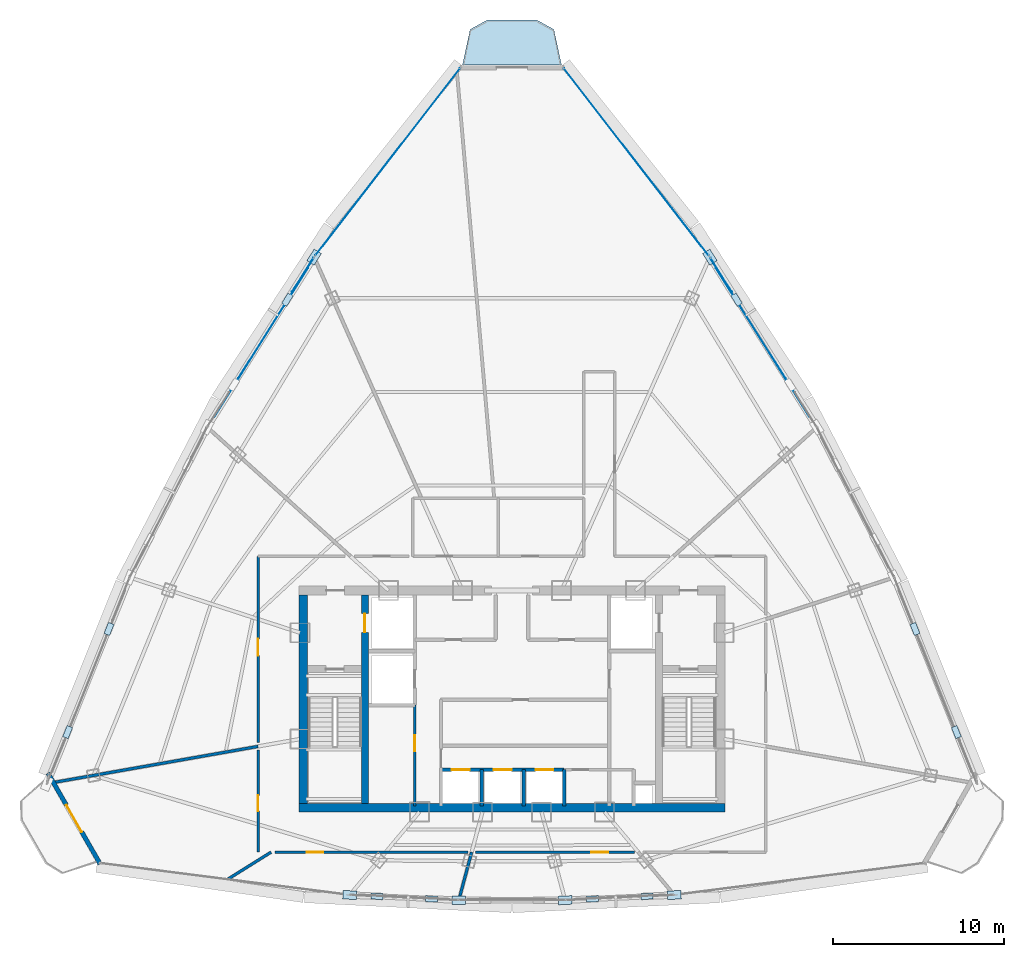
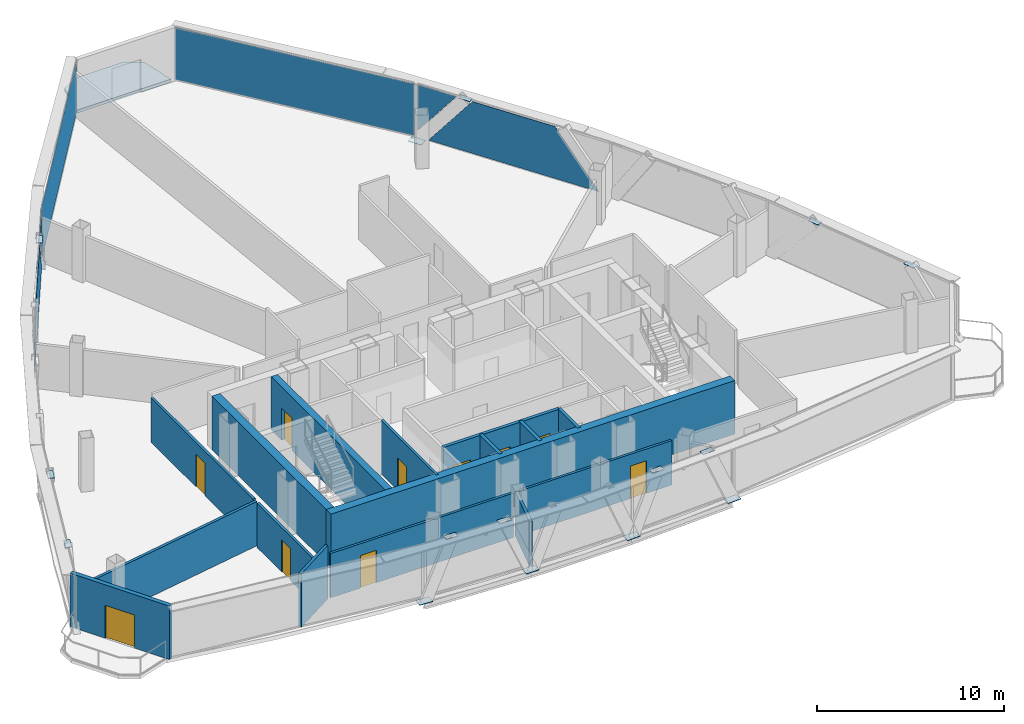
# One storey, part 25 of 30: 22 plates, 16 walls, 10 doors, 1 slab, 10 openings, 4 elements without a shape of their own.
"""IFC4 building model written with IfcOpenShell, lengths in metres."""

from ifc_helpers import new_model, si_unit, direction, frame, frame_2d, origin, origin_with_axes, origin_2d, place, context, subcontext, project, spatial, polyline, rectangle, outline, extrude, source, transform, mapped, material, layer, layer_set, type_object, element, fill, aggregate, save


model = new_model("IFC4")

# Units and contexts
model_context = context("Model", 3, precision=1e-05, world=origin(), true_north=direction((0.0, 1.0)))
body_context = subcontext(model_context, "Body", "Model", "MODEL_VIEW")
ifc_project = project(units=[si_unit("LENGTHUNIT", "METRE"), si_unit("AREAUNIT", "SQUARE_METRE"), si_unit("VOLUMEUNIT", "CUBIC_METRE"), si_unit("PLANEANGLEUNIT", "RADIAN"), si_unit("MASSUNIT", "GRAM", prefix="KILO"), si_unit("THERMODYNAMICTEMPERATUREUNIT", "KELVIN"), si_unit("POWERUNIT", "WATT")], contexts=[model_context])

# Site, building, storey
site_placement = place(None, origin())
site = spatial("IfcSite", under=ifc_project, at=site_placement, CompositionType="ELEMENT")
building_placement = place(site_placement, origin())
building = spatial("IfcBuilding", under=site, at=building_placement, Name="Yunzhuo Pagoda Commons", CompositionType="ELEMENT")
storey_placement = place(building_placement, frame((0.0, 0.0, 351.760009765625)))
storey = spatial("IfcBuildingStorey", under=building, at=storey_placement, Name="L88", CompositionType="ELEMENT", Elevation=351.760009765625)

# Curtain wall, plates
ifc_material_1 = material(Name="Anodized aluminium 6063-T6", Category="aluminium")
ifc_layer_1 = layer(ifc_material_1, 0.139892578125)
ifc_layer_set_1 = layer_set([ifc_layer_1], Name="Anodized aluminium 6063-T6")
curtain_wall_type = type_object("IfcCurtainWallType", Name="CW-HI High-Zone Ribbon Curtain Wall", PredefinedType="NOTDEFINED", material=ifc_layer_set_1)
curtain_wall_1_placement = place(storey_placement, origin())
curtain_wall_1 = element("IfcCurtainWall", 1, at=curtain_wall_1_placement, inside=storey, type_object=curtain_wall_type, Name="L88 curtain wall CW-L88-F2B4", PredefinedType="NOTDEFINED")
ifc_material_2 = material(Name="Tempered low-e double glazing", Category="glass")
ifc_layer_2 = layer(ifc_material_2, 0.02587890625)
ifc_layer_set_2 = layer_set([ifc_layer_2], Name="Tempered low-e double glazing")
plate_type_1 = type_object("IfcPlateType", Name="CW-HI-P Low-E Double Glazing 26", PredefinedType="CURTAIN_PANEL", material=ifc_layer_set_2)
plate_1_placement = place(storey_placement, frame((62.6611328125, 54.69677734375, 1.744873046875), z_axis=(0.846524621891, 0.532349569861, 0.0), x_axis=(-0.532349569861, 0.846524621891, 0.0)))
plate_1 = element("IfcPlate", 2, at=plate_1_placement, type_object=plate_type_1, Name="CW panel 1.1 lite 2", PredefinedType="CURTAIN_PANEL", context=body_context, shape_type="SweptSolid", body=[
    extrude(outline(polyline([(-5.14306640625, -1.68994140625), (5.14306640625, -1.68994140625), (2.49658203125, 1.68994140625), (-2.49658203125, 1.68994140625), (-5.14306640625, -1.68994140625)])), origin(), (0.0, 0.0, 1.0), 0.028076171875),
])
plate_2_placement = place(storey_placement, frame((60.2177734375, 58.638427734375, 1.93408203125), z_axis=(0.846524621891, 0.532349569861, 0.0), x_axis=(-0.532349569861, 0.846524621891, 0.0)))
plate_2 = element("IfcPlate", 3, at=plate_2_placement, type_object=plate_type_1, Name="CW panel 1.1 lite 3", PredefinedType="CURTAIN_PANEL", context=body_context, shape_type="SweptSolid", body=[
    extrude(outline(polyline([(-1.17529296875, 1.5009765625), (1.17529296875, -1.5009765625), (1.17529296875, 1.5009765625), (-1.17529296875, 1.5009765625)])), origin(), (0.0, 0.0, 1.0), 0.028076171875),
])
aggregate(curtain_wall_1, [plate_1, plate_2])

curtain_wall_2_placement = place(storey_placement, origin())
curtain_wall_2 = element("IfcCurtainWall", 4, at=curtain_wall_2_placement, inside=storey, type_object=curtain_wall_type, Name="L88 curtain wall CW-L88-F3B2", PredefinedType="NOTDEFINED")
plate_3_placement = place(storey_placement, frame((35.7822265625, 58.638427734375, 1.93408203125), z_axis=(-0.846524621891, 0.532349569861, 0.0), x_axis=(-0.532349569861, -0.846524621891, 0.0)))
plate_3 = element("IfcPlate", 5, at=plate_3_placement, type_object=plate_type_1, Name="CW panel 1.1 lite 1", PredefinedType="CURTAIN_PANEL", context=body_context, shape_type="SweptSolid", body=[
    extrude(outline(polyline([(-1.17529296875, -1.5009765625), (1.17529296875, 1.5009765625), (-1.17529296875, 1.5009765625), (-1.17529296875, -1.5009765625)])), origin(), (0.0, 0.0, 1.0), 0.028076171875),
])
plate_4_placement = place(storey_placement, frame((33.3388671875, 54.69677734375, 1.744873046875), z_axis=(-0.846524621891, 0.532349569861, 0.0), x_axis=(-0.532349569861, -0.846524621891, 0.0)))
plate_4 = element("IfcPlate", 6, at=plate_4_placement, type_object=plate_type_1, Name="CW panel 1.1 lite 2", PredefinedType="CURTAIN_PANEL", context=body_context, shape_type="SweptSolid", body=[
    extrude(outline(polyline([(-5.14306640625, -1.68994140625), (5.14306640625, -1.68994140625), (2.49658203125, 1.68994140625), (-2.49658203125, 1.68994140625), (-5.14306640625, -1.68994140625)])), origin(), (0.0, 0.0, 1.0), 0.028076171875),
])
aggregate(curtain_wall_2, [plate_3, plate_4])

# Slab
ifc_material_3 = material(Name="Concrete C40", Category="concrete")
ifc_layer_3 = layer(ifc_material_3, 0.199951171875)
ifc_layer_set_3 = layer_set([ifc_layer_3], Name="Concrete C40")
slab_type = type_object("IfcSlabType", Name="SL-BAL Vertex Balcony Deck Slab 200", PredefinedType="FLOOR", material=ifc_layer_set_3)
slab_placement = place(storey_placement, frame((0.0, 0.0, -0.199951171875)))
element("IfcSlab", 7, at=slab_placement, inside=storey, type_object=slab_type, Name="L88 corner balcony V3", PredefinedType="FLOOR", context=body_context, shape_type="SweptSolid", body=[
    extrude(outline(polyline([(50.899169921875, 70.9140625), (45.100830078125, 70.9140625), (45.55078125, 73.009033203125), (46.55029296875, 73.55908203125), (49.44970703125, 73.55908203125), (50.44921875, 73.009033203125), (50.899169921875, 70.9140625)])), origin(), (0.0, 0.0, 1.0), 0.199951171875),
])

# Plates
ifc_material_4 = material(Name="Structural steel Q355B", Category="steel")
ifc_layer_4 = layer(ifc_material_4, 0.028076171875)
ifc_layer_set_4 = layer_set([ifc_layer_4], Name="Structural steel Q355B")
plate_type_2 = type_object("IfcPlateType", Name="SP-ND1 Lattice Node Cap Plate 800x500x28", PredefinedType="USERDEFINED", material=ifc_layer_set_4)
shared_shape_1 = source(origin(), body_context, "Body", "SweptSolid", [
    extrude(rectangle(XDim=0.800048828125, YDim=0.5, at=origin_2d()), origin(), (0.0, 0.0, 1.0), 0.028076171875),
])
for number, where, z_axis, x_axis, name in (
    (8, (38.512451171875, 22.393310546875, -0.27392578125), (0.0, 0.0, 1.0), (0.998854240665, -0.047856095812, 0.0), "L88 diamond node plate F1.1A"),
    (9, (44.888427734375, 22.087646484375, -0.27392578125), (0.0, 0.0, 1.0), (1.0, 0.0, 0.0), "L88 diamond node plate F1.2A"),
    (10, (51.111572265625, 22.087646484375, -0.27392578125), (0.0, 0.0, 1.0), (0.998854240665, 0.047856095812, 0.0), "L88 diamond node plate F1.3A"),
    (11, (57.487548828125, 22.393310546875, -0.27392578125), (0.0, 0.0, 1.0), (0.998854240665, 0.047856095812, 0.0), "L88 diamond node plate F1.3B"),
    (12, (59.572265625, 59.69140625, -0.27392578125), (0.0, 0.0, 1.0), (-0.532344492073, 0.846527815113, 0.0), "L88 diamond node plate F2.3B"),
    (13, (36.427734375, 59.69140625, -0.27392578125), (0.0, 0.0, 1.0), (-0.532344492073, -0.846527815113, 0.0), "L88 diamond node plate F3.1A"),
):
    element("IfcPlate", number, at=place(storey_placement, frame(where, z_axis=z_axis, x_axis=x_axis)), inside=storey, type_object=plate_type_2, Name=name, ObjectType="STIFFENER_PLATE", PredefinedType="USERDEFINED", context=body_context, shape_type="MappedRepresentation", body=[
        mapped(shared_shape_1, transform((0.0, 0.0, 0.0), scale=1.0)),
    ])
shared_shape_2 = source(origin(), body_context, "Body", "SweptSolid", [
    extrude(rectangle(XDim=0.699951171875, YDim=0.35009765625, at=origin_2d()), origin(), (0.0, 0.0, 1.0), 0.035888671875),
])
for number, where, z_axis, x_axis, name in (
    (14, (40.1064453125, 22.31689453125, 3.4521484375), (0.0, 0.0, 1.0), (0.998854240665, -0.047856095812, 0.0), "L88 setback lattice tie plate F1.1L"),
    (15, (43.29443359375, 22.1640625, 3.4521484375), (0.0, 0.0, 1.0), (0.998854240665, -0.047856095812, 0.0), "L88 setback lattice tie plate F1.1R"),
    (16, (52.70556640625, 22.1640625, 3.4521484375), (0.0, 0.0, 1.0), (0.998854240665, 0.047856095812, 0.0), "L88 setback lattice tie plate F1.3L"),
    (17, (55.8935546875, 22.31689453125, 3.4521484375), (0.0, 0.0, 1.0), (0.998854240665, 0.047856095812, 0.0), "L88 setback lattice tie plate F1.3R"),
    (18, (73.983642578125, 31.919677734375, 3.4521484375), (0.0, 0.0, 1.0), (-0.372485720283, 0.928037923894, 0.0), "L88 setback lattice tie plate F2.1L"),
    (19, (71.563720703125, 37.94873046875, 3.4521484375), (0.0, 0.0, 1.0), (-0.372485720283, 0.928037923894, 0.0), "L88 setback lattice tie plate F2.1R"),
    (20, (61.13525390625, 57.2060546875, 3.4521484375), (0.0, 0.0, 1.0), (-0.532344492073, 0.846527815113, 0.0), "L88 setback lattice tie plate F2.3R"),
    (21, (34.86474609375, 57.2060546875, 3.4521484375), (0.0, 0.0, 1.0), (-0.532344492073, -0.846527815113, 0.0), "L88 setback lattice tie plate F3.1L"),
    (22, (24.436279296875, 37.94873046875, 3.4521484375), (0.0, 0.0, 1.0), (-0.372485720283, -0.928037923894, 0.0), "L88 setback lattice tie plate F3.3L"),
    (23, (22.016357421875, 31.919677734375, 3.4521484375), (0.0, 0.0, 1.0), (-0.372485720283, -0.928037923894, 0.0), "L88 setback lattice tie plate F3.3R"),
):
    element("IfcPlate", number, at=place(storey_placement, frame(where, z_axis=z_axis, x_axis=x_axis)), inside=storey, type_object=plate_type_2, Name=name, ObjectType="STIFFENER_PLATE", PredefinedType="USERDEFINED", context=body_context, shape_type="MappedRepresentation", body=[
        mapped(shared_shape_2, transform((0.0, 0.0, 0.0), scale=1.0)),
    ])

# Curtain wall, plate
curtain_wall_3_placement = place(storey_placement, origin())
curtain_wall_3 = element("IfcCurtainWall", 24, at=curtain_wall_3_placement, inside=storey, type_object=curtain_wall_type, Name="L88 curtain wall CW-L88-F2B5", PredefinedType="NOTDEFINED")
shared_shape_3 = source(origin(), body_context, "Body", "SweptSolid", [
    extrude(rectangle(XDim=13.823486328125, YDim=0.028076171875, at=origin_2d()), origin(), (0.0, 0.0, 1.0), 3.3798828125),
])
plate_5_placement = place(storey_placement, frame((55.26025390625, 65.264892578125, 0.054931640625), z_axis=(0.0, 0.0, 1.0), x_axis=(-0.611910329378, 0.790927145065, 0.0)))
plate_5 = element("IfcPlate", 25, at=plate_5_placement, type_object=plate_type_1, Name="CW panel 1.1", PredefinedType="CURTAIN_PANEL", context=body_context, shape_type="MappedRepresentation", body=[
    mapped(shared_shape_3, transform((0.0, 0.0, 0.0), scale=1.0)),
])
aggregate(curtain_wall_3, [plate_5])

curtain_wall_4_placement = place(storey_placement, origin())
curtain_wall_4 = element("IfcCurtainWall", 26, at=curtain_wall_4_placement, inside=storey, type_object=curtain_wall_type, Name="L88 curtain wall CW-L88-F3B1", PredefinedType="NOTDEFINED")
plate_6_placement = place(storey_placement, frame((40.73974609375, 65.264892578125, 0.054931640625), z_axis=(0.0, 0.0, 1.0), x_axis=(-0.611910329378, -0.790927145065, 0.0)))
plate_6 = element("IfcPlate", 27, at=plate_6_placement, type_object=plate_type_1, Name="CW panel 1.1", PredefinedType="CURTAIN_PANEL", context=body_context, shape_type="MappedRepresentation", body=[
    mapped(shared_shape_3, transform((0.0, 0.0, 0.0), scale=1.0)),
])
aggregate(curtain_wall_4, [plate_6])

# Wall, opening, door
ifc_material_5 = material(Name="Precast concrete C40", Category="concrete")
ifc_layer_5 = layer(ifc_material_5, 0.260009765625)
ifc_layer_set_5 = layer_set([ifc_layer_5], Name="Precast concrete C40")
wall_type_1 = type_object("IfcWallType", Name="W-BAL1 Corner Balcony Threshold Wall 260", PredefinedType="STANDARD", material=ifc_layer_set_5)
wall_1_placement = place(storey_placement, frame((20.865478515625, 29.521240234375, 0.0), z_axis=(0.0, 0.0, 1.0), x_axis=(0.49795859982, -0.867200803082, 0.0)))
wall_1 = element("IfcWall", 28, at=wall_1_placement, inside=storey, type_object=wall_type_1, Name="L88 corner balcony wall V1", PredefinedType="STANDARD", context=body_context, shape_type="SweptSolid", body=[
    extrude(rectangle(XDim=6.12255859375, YDim=0.260009765625, at=frame_2d((3.061279296875, 0.0))), origin(), (0.0, 0.0, 1.0), 3.489990234375),
])
opening_1_placement = place(wall_1_placement, frame((2.161376953125, 0.0, 0.0)))
opening_1 = element("IfcOpeningElement", 29, at=opening_1_placement, cuts=wall_1, Name="Opening D-BAL1", PredefinedType="OPENING", context=body_context, shape_type="SweptSolid", body=[
    extrude(rectangle(XDim=1.800048828125, YDim=2.14990234375, at=frame_2d((0.89990234375, 1.074951171875))), frame((0.0, 0.14013671875, 0.0), z_axis=(0.0, -1.0, 0.0), x_axis=(1.0, 0.0, 0.0)), (0.0, 0.0, 1.0), 0.280029296875),
])
ifc_material_6 = material(Name="Anodized aluminium frame and tempered glazed leaf", Category="aluminium")
door_type_1 = type_object("IfcDoorType", Name="D-BAL1 Corner Balcony Sliding Glazed Door 1800x2150", OperationType="DOUBLE_DOOR_SLIDING", PredefinedType="DOOR", material=ifc_material_6)
shared_shape_4 = source(origin(), body_context, "Body", "SweptSolid", [
    extrude(rectangle(XDim=1.800048828125, YDim=2.14990234375, at=frame_2d((0.89990234375, 1.074951171875))), frame((0.0, 0.02490234375, 0.0), z_axis=(0.0, -1.0, 0.0), x_axis=(1.0, 0.0, 0.0)), (0.0, 0.0, 1.0), 0.050048828125),
])
door_1_placement = place(opening_1_placement, origin_with_axes())
door_1 = element("IfcDoor", 30, at=door_1_placement, inside=storey, type_object=door_type_1, Name="L88 corner balcony sliding door V1", OperationType="DOUBLE_DOOR_SLIDING", OverallHeight=2.14990234375, OverallWidth=1.800048828125, PredefinedType="DOOR", context=body_context, shape_type="MappedRepresentation", body=[
    mapped(shared_shape_4, transform((0.0, 0.0, 0.0), scale=1.0)),
])
fill(opening_1, door_1)

# Walls
ifc_material_7 = material(Name="Concrete C50", Category="concrete")
ifc_layer_6 = layer(ifc_material_7, 0.5)
ifc_layer_set_6 = layer_set([ifc_layer_6], Name="Concrete C50")
wall_type_2 = type_object("IfcWallType", Name="W-C03 Upper Core Shear Wall 500", PredefinedType="SHEAR", material=ifc_layer_set_6)
wall_2_placement = place(storey_placement, frame((35.550048828125, 27.5, 0.0), z_axis=(0.0, 0.0, 1.0), x_axis=(1.0, 0.0, 0.0)))
element("IfcWall", 31, at=wall_2_placement, inside=storey, type_object=wall_type_2, Name="L88 core shear wall S", PredefinedType="SHEAR", context=body_context, shape_type="SweptSolid", body=[
    extrude(rectangle(XDim=24.89990234375, YDim=0.5, at=frame_2d((12.449951171875, 0.0))), origin(), (0.0, 0.0, 1.0), 3.489990234375),
])
wall_3_placement = place(storey_placement, frame((35.800048828125, 27.75, 0.0), z_axis=(0.0, 0.0, 1.0), x_axis=(0.0, 1.0, 0.0)))
element("IfcWall", 32, at=wall_3_placement, inside=storey, type_object=wall_type_2, Name="L88 core shear wall W", PredefinedType="SHEAR", context=body_context, shape_type="SweptSolid", body=[
    extrude(rectangle(XDim=12.199951171875, YDim=0.5, at=frame_2d((6.10009765625, 0.0))), origin(), (0.0, 0.0, 1.0), 3.489990234375),
])

# Wall, opening, door
ifc_material_8 = material(Name="Gypsum plasterboard on acoustic stud")
ifc_layer_7 = layer(ifc_material_8, 0.14990234375)
ifc_layer_set_7 = layer_set([ifc_layer_7], Name="Gypsum plasterboard on acoustic stud")
wall_type_3 = type_object("IfcWallType", Name="W-COR3 High-Zone Rated Corridor Wall 150", PredefinedType="PARTITIONING", material=ifc_layer_set_7)
wall_4_placement = place(storey_placement, frame((42.320068359375, 27.60009765625, 0.0), z_axis=(0.0, 0.0, 1.0), x_axis=(0.0, 1.0, 0.0)))
wall_4 = element("IfcWall", 33, at=wall_4_placement, inside=storey, type_object=wall_type_3, Name="L88 interior wall IW-L88-CSWE", PredefinedType="PARTITIONING", context=body_context, shape_type="SweptSolid", body=[
    extrude(rectangle(XDim=5.89990234375, YDim=0.14990234375, at=frame_2d((2.949951171875, 0.0))), origin(), (0.0, 0.0, 1.0), 3.489990234375),
])
opening_2_placement = place(wall_4_placement, frame((3.199951171875, 0.0, 0.0)))
opening_2 = element("IfcOpeningElement", 34, at=opening_2_placement, cuts=wall_4, Name="Opening D-11", PredefinedType="OPENING", context=body_context, shape_type="SweptSolid", body=[
    extrude(rectangle(XDim=0.93994140625, YDim=2.10009765625, at=frame_2d((0.469970703125, 1.050048828125))), frame((0.0, 0.0849609375, 0.0), z_axis=(0.0, -1.0, 0.0), x_axis=(1.0, 0.0, 0.0)), (0.0, 0.0, 1.0), 0.169921875),
])
ifc_material_9 = material(Name="Galvanized fire-resisting metal leaf")
door_type_2 = type_object("IfcDoorType", Name="D-11 Accessible Washroom Fire Door 940x2100", OperationType="NOTDEFINED", PredefinedType="DOOR", material=ifc_material_9)
shared_shape_5 = source(origin(), body_context, "Body", "SweptSolid", [
    extrude(rectangle(XDim=0.93994140625, YDim=2.10009765625, at=frame_2d((0.469970703125, 1.050048828125))), frame((0.0, 0.02490234375, 0.0), z_axis=(0.0, -1.0, 0.0), x_axis=(1.0, 0.0, 0.0)), (0.0, 0.0, 1.0), 0.050048828125),
])
door_2_placement = place(opening_2_placement, origin_with_axes())
door_2 = element("IfcDoor", 35, at=door_2_placement, inside=storey, type_object=door_type_2, Name="L88 core WC door", OperationType="SINGLE_SWING_LEFT", OverallHeight=2.10009765625, OverallWidth=0.93994140625, PredefinedType="DOOR", context=body_context, shape_type="MappedRepresentation", body=[
    mapped(shared_shape_5, transform((0.0, 0.0, 0.0), scale=1.0)),
])
fill(opening_2, door_2)

wall_5_placement = place(storey_placement, frame((33.14990234375, 24.89990234375, 0.0), z_axis=(0.0, 0.0, 1.0), x_axis=(0.0, 1.0, 0.0)))
wall_5 = element("IfcWall", 36, at=wall_5_placement, inside=storey, type_object=wall_type_3, Name="L88 interior wall IW-L88-CWL01", PredefinedType="PARTITIONING", context=body_context, shape_type="SweptSolid", body=[
    extrude(rectangle(XDim=5.958251953125, YDim=0.14990234375, at=frame_2d((2.97900390625, 0.0))), origin(), (0.0, 0.0, 1.0), 2.889892578125),
])
opening_3_placement = place(wall_5_placement, frame((2.400634765625, 0.0, 0.0)))
opening_3 = element("IfcOpeningElement", 37, at=opening_3_placement, cuts=wall_5, Name="Opening D-04", PredefinedType="OPENING", context=body_context, shape_type="SweptSolid", body=[
    extrude(rectangle(XDim=0.919921875, YDim=2.10009765625, at=frame_2d((0.4599609375, 1.050048828125))), frame((0.0, 0.0849609375, 0.0), z_axis=(0.0, -1.0, 0.0), x_axis=(1.0, 0.0, 0.0)), (0.0, 0.0, 1.0), 0.169921875),
])
ifc_material_10 = material(Name="Powder-coated aluminium and timber acoustic leaf", Category="wood")
door_type_3 = type_object("IfcDoorType", Name="D-04 Bedroom & Study Interior Door 920x2100", OperationType="NOTDEFINED", PredefinedType="DOOR", material=ifc_material_10)
shared_shape_6 = source(origin(), body_context, "Body", "SweptSolid", [
    extrude(rectangle(XDim=0.919921875, YDim=2.10009765625, at=frame_2d((0.4599609375, 1.050048828125))), frame((0.0, 0.02490234375, 0.0), z_axis=(0.0, -1.0, 0.0), x_axis=(1.0, 0.0, 0.0)), (0.0, 0.0, 1.0), 0.050048828125),
])
door_3_placement = place(opening_3_placement, origin_with_axes())
door_3 = element("IfcDoor", 38, at=door_3_placement, inside=storey, type_object=door_type_3, Name="L88 seminar room 07 door", OperationType="SINGLE_SWING_LEFT", OverallHeight=2.10009765625, OverallWidth=0.919921875, PredefinedType="DOOR", context=body_context, shape_type="MappedRepresentation", body=[
    mapped(shared_shape_6, transform((0.0, 0.0, 0.0), scale=1.0)),
])
fill(opening_3, door_3)

wall_6_placement = place(storey_placement, frame((33.14990234375, 31.30126953125, 0.0), z_axis=(0.0, 0.0, 1.0), x_axis=(0.0, 1.0, 0.0)))
wall_6 = element("IfcWall", 39, at=wall_6_placement, inside=storey, type_object=wall_type_3, Name="L88 interior wall IW-L88-CWL02", PredefinedType="PARTITIONING", context=body_context, shape_type="SweptSolid", body=[
    extrude(rectangle(XDim=10.898681640625, YDim=0.14990234375, at=frame_2d((5.44921875, 0.0))), origin(), (0.0, 0.0, 1.0), 2.889892578125),
])
opening_4_placement = place(wall_6_placement, frame((5.094482421875, 0.0, 0.0)))
opening_4 = element("IfcOpeningElement", 40, at=opening_4_placement, cuts=wall_6, Name="Opening D-08", PredefinedType="OPENING", context=body_context, shape_type="SweptSolid", body=[
    extrude(rectangle(XDim=0.97998046875, YDim=2.1201171875, at=frame_2d((0.489990234375, 1.06005859375))), frame((0.0, 0.0849609375, 0.0), z_axis=(0.0, -1.0, 0.0), x_axis=(1.0, 0.0, 0.0)), (0.0, 0.0, 1.0), 0.169921875),
])
door_type_4 = type_object("IfcDoorType", Name="D-08 High-Zone Suite Entrance Fire Door 980x2120", OperationType="NOTDEFINED", PredefinedType="DOOR", material=ifc_material_9)
shared_shape_7 = source(origin(), body_context, "Body", "SweptSolid", [
    extrude(rectangle(XDim=0.97998046875, YDim=2.1201171875, at=frame_2d((0.489990234375, 1.06005859375))), frame((0.0, 0.02490234375, 0.0), z_axis=(0.0, -1.0, 0.0), x_axis=(1.0, 0.0, 0.0)), (0.0, 0.0, 1.0), 0.050048828125),
])
door_4_placement = place(opening_4_placement, origin_with_axes())
door_4 = element("IfcDoor", 41, at=door_4_placement, inside=storey, type_object=door_type_4, Name="L88 Resident Co-Living Commons Hall door", OperationType="SINGLE_SWING_RIGHT", OverallHeight=2.1201171875, OverallWidth=0.97998046875, PredefinedType="DOOR", context=body_context, shape_type="MappedRepresentation", body=[
    mapped(shared_shape_7, transform((0.0, 0.0, 0.0), scale=1.0)),
])
fill(opening_4, door_4)

wall_7_placement = place(storey_placement, frame((55.164306640625, 24.89990234375, 0.0), z_axis=(0.0, 0.0, 1.0), x_axis=(-1.0, 0.0, 0.0)))
wall_7 = element("IfcWall", 42, at=wall_7_placement, inside=storey, type_object=wall_type_3, Name="L88 interior wall IW-L88-CWL14", PredefinedType="PARTITIONING", context=body_context, shape_type="SweptSolid", body=[
    extrude(rectangle(XDim=9.302490234375, YDim=0.14990234375, at=frame_2d((4.6513671875, 0.0))), origin(), (0.0, 0.0, 1.0), 2.889892578125),
])
opening_5_placement = place(wall_7_placement, frame((1.55029296875, 0.0, 0.0)))
opening_5 = element("IfcOpeningElement", 43, at=opening_5_placement, cuts=wall_7, Name="Opening D-08", PredefinedType="OPENING", context=body_context, shape_type="SweptSolid", body=[
    extrude(rectangle(XDim=0.97998046875, YDim=2.1201171875, at=frame_2d((0.489990234375, 1.06005859375))), frame((0.0, 0.0849609375, 0.0), z_axis=(0.0, -1.0, 0.0), x_axis=(1.0, 0.0, 0.0)), (0.0, 0.0, 1.0), 0.169921875),
])
door_5_placement = place(opening_5_placement, origin_with_axes())
door_5 = element("IfcDoor", 44, at=door_5_placement, inside=storey, type_object=door_type_4, Name="L88 Academic Reading Commons 3 door", OperationType="SINGLE_SWING_LEFT", OverallHeight=2.1201171875, OverallWidth=0.97998046875, PredefinedType="DOOR", context=body_context, shape_type="MappedRepresentation", body=[
    mapped(shared_shape_7, transform((0.0, 0.0, 0.0), scale=1.0)),
])
fill(opening_5, door_5)

wall_8_placement = place(storey_placement, frame((45.414306640625, 24.89990234375, 0.0), z_axis=(0.0, 0.0, 1.0), x_axis=(-1.0, 0.0, 0.0)))
wall_8 = element("IfcWall", 45, at=wall_8_placement, inside=storey, type_object=wall_type_3, Name="L88 interior wall IW-L88-CWL15", PredefinedType="PARTITIONING", context=body_context, shape_type="SweptSolid", body=[
    extrude(rectangle(XDim=11.27734375, YDim=0.14990234375, at=frame_2d((5.638671875, 0.0))), origin(), (0.0, 0.0, 1.0), 2.889892578125),
])
opening_6_placement = place(wall_8_placement, frame((8.450439453125, 0.0, 0.0)))
opening_6 = element("IfcOpeningElement", 46, at=opening_6_placement, cuts=wall_8, Name="Opening D-08", PredefinedType="OPENING", context=body_context, shape_type="SweptSolid", body=[
    extrude(rectangle(XDim=0.97998046875, YDim=2.1201171875, at=frame_2d((0.489990234375, 1.06005859375))), frame((0.0, 0.0849609375, 0.0), z_axis=(0.0, -1.0, 0.0), x_axis=(1.0, 0.0, 0.0)), (0.0, 0.0, 1.0), 0.169921875),
])
door_6_placement = place(opening_6_placement, origin_with_axes())
door_6 = element("IfcDoor", 47, at=door_6_placement, inside=storey, type_object=door_type_4, Name="L88 Academic Reading Commons 2 door", OperationType="SINGLE_SWING_RIGHT", OverallHeight=2.1201171875, OverallWidth=0.97998046875, PredefinedType="DOOR", context=body_context, shape_type="MappedRepresentation", body=[
    mapped(shared_shape_7, transform((0.0, 0.0, 0.0), scale=1.0)),
])
fill(opening_6, door_6)

# Walls
ifc_layer_8 = layer(ifc_material_8, 0.169921875)
ifc_layer_set_8 = layer_set([ifc_layer_8], Name="Gypsum plasterboard on acoustic stud")
wall_type_4 = type_object("IfcWallType", Name="W-PRT4 High-Zone Demising Wall 170", PredefinedType="PARTITIONING", material=ifc_layer_set_8)
wall_9_placement = place(storey_placement, frame((33.14990234375, 31.08154296875, 0.0), z_axis=(0.0, 0.0, 1.0), x_axis=(-0.984808019511, -0.173646666272, 0.0)))
element("IfcWall", 48, at=wall_9_placement, inside=storey, type_object=wall_type_4, Name="L88 interior wall IW-L88-RAD06", PredefinedType="PARTITIONING", context=body_context, shape_type="SweptSolid", body=[
    extrude(rectangle(XDim=12.153076171875, YDim=0.169921875, at=frame_2d((6.07666015625, 0.0))), origin(), (0.0, 0.0, 1.0), 2.889892578125),
])
wall_10_placement = place(storey_placement, frame((33.9169921875, 24.89990234375, 0.0), z_axis=(0.0, 0.0, 1.0), x_axis=(-0.848039321644, -0.52993330613, 0.0)))
element("IfcWall", 49, at=wall_10_placement, inside=storey, type_object=wall_type_4, Name="L88 interior wall IW-L88-RAD07", PredefinedType="PARTITIONING", context=body_context, shape_type="SweptSolid", body=[
    extrude(rectangle(XDim=3.00927734375, YDim=0.169921875, at=frame_2d((1.504638671875, 0.0))), origin(), (0.0, 0.0, 1.0), 3.489990234375),
])
wall_11_placement = place(storey_placement, frame((45.64208984375, 24.89990234375, 0.0), z_axis=(0.0, 0.0, 1.0), x_axis=(-0.258857635458, -0.965915485208, 0.0)))
element("IfcWall", 50, at=wall_11_placement, inside=storey, type_object=wall_type_4, Name="L88 interior wall IW-L88-RAD08", PredefinedType="PARTITIONING", context=body_context, shape_type="SweptSolid", body=[
    extrude(rectangle(XDim=2.911376953125, YDim=0.169921875, at=frame_2d((1.45556640625, 0.0))), origin(), (0.0, 0.0, 1.0), 2.889892578125),
])

# Wall, opening, door
ifc_material_11 = material(Name="Concrete C60", Category="concrete")
ifc_layer_9 = layer(ifc_material_11, 0.39990234375)
ifc_layer_set_9 = layer_set([ifc_layer_9], Name="Concrete C60")
wall_type_5 = type_object("IfcWallType", Name="W-S01 Internal Core Shear Web 400", PredefinedType="SHEAR", material=ifc_layer_set_9)
wall_12_placement = place(storey_placement, frame((39.39990234375, 27.75, 0.0), z_axis=(0.0, 0.0, 1.0), x_axis=(0.0, 1.0, 0.0)))
wall_12 = element("IfcWall", 51, at=wall_12_placement, inside=storey, type_object=wall_type_5, Name="L88 core shear wall WEBW", PredefinedType="SHEAR", context=body_context, shape_type="SweptSolid", body=[
    extrude(rectangle(XDim=12.199951171875, YDim=0.39990234375, at=frame_2d((6.10009765625, 0.0))), origin(), (0.0, 0.0, 1.0), 3.489990234375),
])
opening_7_placement = place(wall_12_placement, frame((10.0, 0.0, 0.0)))
opening_7 = element("IfcOpeningElement", 52, at=opening_7_placement, cuts=wall_12, Name="Opening LD-01", PredefinedType="OPENING", context=body_context, shape_type="SweptSolid", body=[
    extrude(rectangle(XDim=1.10009765625, YDim=2.10009765625, at=frame_2d((0.550048828125, 1.050048828125))), frame((0.0, 0.2099609375, 0.0), z_axis=(0.0, -1.0, 0.0), x_axis=(1.0, 0.0, 0.0)), (0.0, 0.0, 1.0), 0.419921875),
])
door_type_5 = type_object("IfcDoorType", Name="LD-01 Firefighting Lift Landing Door 1100x2100", OperationType="DOUBLE_DOOR_SLIDING", PredefinedType="DOOR", material=ifc_material_9)
shared_shape_8 = source(origin(), body_context, "Body", "SweptSolid", [
    extrude(rectangle(XDim=1.10009765625, YDim=2.10009765625, at=frame_2d((0.550048828125, 1.050048828125))), frame((0.0, 0.02490234375, 0.0), z_axis=(0.0, -1.0, 0.0), x_axis=(1.0, 0.0, 0.0)), (0.0, 0.0, 1.0), 0.050048828125),
])
door_7_placement = place(opening_7_placement, frame((1.10009765625, 0.0, 0.0), z_axis=(0.0, 0.0, 1.0), x_axis=(-1.0, 0.0, 0.0)))
door_7 = element("IfcDoor", 53, at=door_7_placement, inside=storey, type_object=door_type_5, Name="L88 Firefighting lift FL-1 landing door", OperationType="DOUBLE_DOOR_SLIDING", OverallHeight=2.10009765625, OverallWidth=1.10009765625, PredefinedType="DOOR", context=body_context, shape_type="MappedRepresentation", body=[
    mapped(shared_shape_8, transform((0.0, 0.0, 0.0), scale=1.0)),
])
fill(opening_7, door_7)

# Wall, openings, doors
ifc_layer_10 = layer(ifc_material_3, 0.199951171875)
ifc_layer_set_10 = layer_set([ifc_layer_10], Name="Concrete C40")
wall_type_6 = type_object("IfcWallType", Name="W-SHF Shaft & Stair Enclosure Wall 200", PredefinedType="SOLIDWALL", material=ifc_layer_set_10)
wall_13_placement = place(storey_placement, frame((43.85009765625, 29.719970703125, 0.0), z_axis=(0.0, 0.0, 1.0), x_axis=(1.0, 0.0, 0.0)))
wall_13 = element("IfcWall", 54, at=wall_13_placement, inside=storey, type_object=wall_type_6, Name="L88 interior wall IW-L88-PLHN", PredefinedType="SOLIDWALL", context=body_context, shape_type="SweptSolid", body=[
    extrude(rectangle(XDim=7.199951171875, YDim=0.199951171875, at=frame_2d((3.60009765625, 0.0))), origin(), (0.0, 0.0, 1.0), 3.489990234375),
])
opening_8_placement = place(wall_13_placement, frame((0.625, 0.0, 0.0)))
opening_8 = element("IfcOpeningElement", 55, at=opening_8_placement, cuts=wall_13, Name="Opening LD-02", PredefinedType="OPENING", context=body_context, shape_type="SweptSolid", body=[
    extrude(rectangle(XDim=1.050048828125, YDim=2.10009765625, at=frame_2d((0.52490234375, 1.050048828125))), frame((0.0, 0.10986328125, 0.0), z_axis=(0.0, -1.0, 0.0), x_axis=(1.0, 0.0, 0.0)), (0.0, 0.0, 1.0), 0.219970703125),
])
opening_9_placement = place(wall_13_placement, frame((3.074951171875, 0.0, 0.0)))
opening_9 = element("IfcOpeningElement", 56, at=opening_9_placement, cuts=wall_13, Name="Opening LD-02", PredefinedType="OPENING", context=body_context, shape_type="SweptSolid", body=[
    extrude(rectangle(XDim=1.050048828125, YDim=2.10009765625, at=frame_2d((0.52490234375, 1.050048828125))), frame((0.0, 0.10986328125, 0.0), z_axis=(0.0, -1.0, 0.0), x_axis=(1.0, 0.0, 0.0)), (0.0, 0.0, 1.0), 0.219970703125),
])
opening_10_placement = place(wall_13_placement, frame((5.52490234375, 0.0, 0.0)))
opening_10 = element("IfcOpeningElement", 57, at=opening_10_placement, cuts=wall_13, Name="Opening LD-02", PredefinedType="OPENING", context=body_context, shape_type="SweptSolid", body=[
    extrude(rectangle(XDim=1.050048828125, YDim=2.10009765625, at=frame_2d((0.52490234375, 1.050048828125))), frame((0.0, 0.10986328125, 0.0), z_axis=(0.0, -1.0, 0.0), x_axis=(1.0, 0.0, 0.0)), (0.0, 0.0, 1.0), 0.219970703125),
])
door_type_6 = type_object("IfcDoorType", Name="LD-02 Passenger Lift Landing Door 1050x2100", OperationType="DOUBLE_DOOR_SLIDING", PredefinedType="DOOR", material=ifc_material_9)
shared_shape_9 = source(origin(), body_context, "Body", "SweptSolid", [
    extrude(rectangle(XDim=1.050048828125, YDim=2.10009765625, at=frame_2d((0.52490234375, 1.050048828125))), frame((0.0, 0.02490234375, 0.0), z_axis=(0.0, -1.0, 0.0), x_axis=(1.0, 0.0, 0.0)), (0.0, 0.0, 1.0), 0.050048828125),
])
door_8_placement = place(opening_8_placement, origin_with_axes())
door_8 = element("IfcDoor", 58, at=door_8_placement, inside=storey, type_object=door_type_6, Name="L88 Passenger lift PL-H1 landing door", OperationType="DOUBLE_DOOR_SLIDING", OverallHeight=2.10009765625, OverallWidth=1.050048828125, PredefinedType="DOOR", context=body_context, shape_type="MappedRepresentation", body=[
    mapped(shared_shape_9, transform((0.0, 0.0, 0.0), scale=1.0)),
])
fill(opening_8, door_8)
door_9_placement = place(opening_9_placement, origin_with_axes())
door_9 = element("IfcDoor", 59, at=door_9_placement, inside=storey, type_object=door_type_6, Name="L88 Passenger lift PL-H2 landing door", OperationType="DOUBLE_DOOR_SLIDING", OverallHeight=2.10009765625, OverallWidth=1.050048828125, PredefinedType="DOOR", context=body_context, shape_type="MappedRepresentation", body=[
    mapped(shared_shape_9, transform((0.0, 0.0, 0.0), scale=1.0)),
])
fill(opening_9, door_9)
door_10_placement = place(opening_10_placement, origin_with_axes())
door_10 = element("IfcDoor", 60, at=door_10_placement, inside=storey, type_object=door_type_6, Name="L88 Passenger lift PL-H3 landing door", OperationType="DOUBLE_DOOR_SLIDING", OverallHeight=2.10009765625, OverallWidth=1.050048828125, PredefinedType="DOOR", context=body_context, shape_type="MappedRepresentation", body=[
    mapped(shared_shape_9, transform((0.0, 0.0, 0.0), scale=1.0)),
])
fill(opening_10, door_10)

# Walls
for number, where, z_axis, x_axis, name in (
    (61, (51.050048828125, 27.60009765625, 0.0), (0.0, 0.0, 1.0), (0.0, 1.0, 0.0), "L88 interior wall IW-L88-PLHE"),
    (62, (46.22509765625, 27.60009765625, 0.0), (0.0, 0.0, 1.0), (0.0, 1.0, 0.0), "L88 interior wall IW-L88-PLHD1"),
    (63, (48.675048828125, 27.60009765625, 0.0), (0.0, 0.0, 1.0), (0.0, 1.0, 0.0), "L88 interior wall IW-L88-PLHD2"),
):
    element("IfcWall", number, at=place(storey_placement, frame(where, z_axis=z_axis, x_axis=x_axis)), inside=storey, type_object=wall_type_6, Name=name, PredefinedType="SOLIDWALL", context=body_context, shape_type="SweptSolid", body=[
        extrude(rectangle(XDim=2.119873046875, YDim=0.199951171875, at=frame_2d((1.06005859375, 0.0))), origin(), (0.0, 0.0, 1.0), 3.489990234375),
    ])

save(model, "model.ifc")
